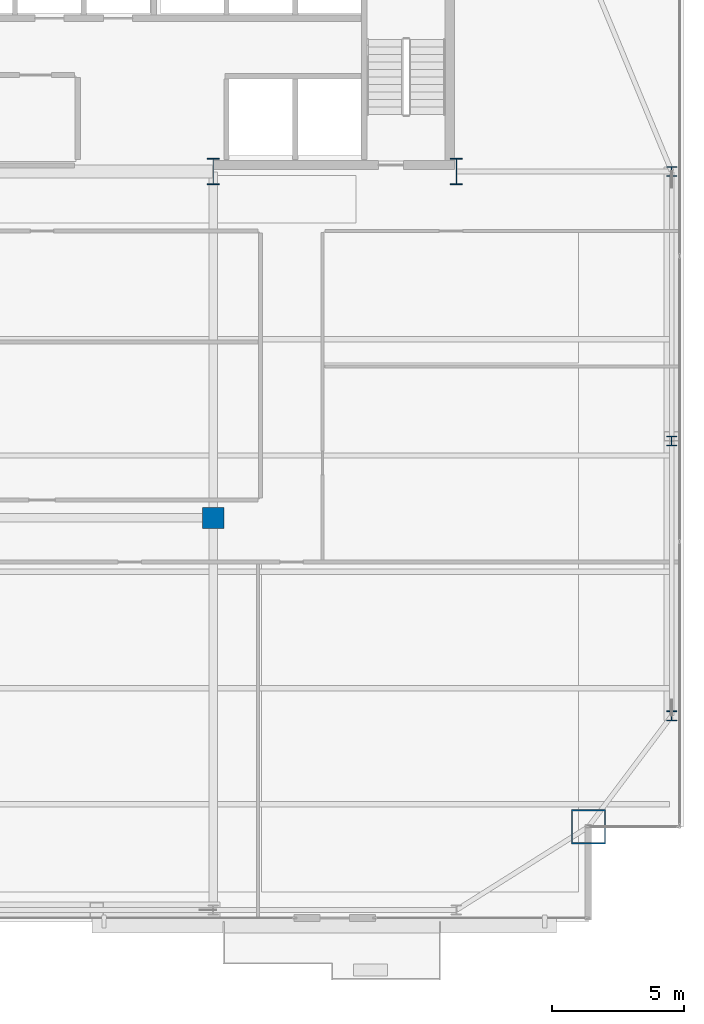
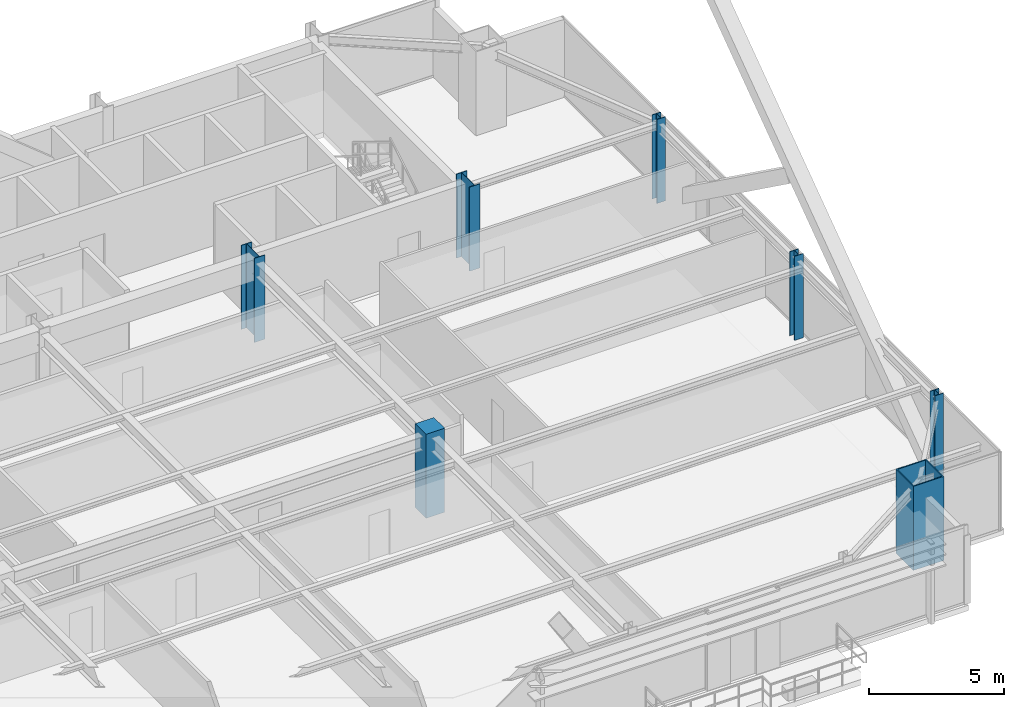
# One storey, part 2 of 34: 7 columns.
"""IFC4 building model written with IfcOpenShell, lengths in metres."""

from ifc_helpers import new_model, si_unit, direction, frame, origin, origin_2d, place, context, subcontext, project, spatial, rectangle, hollow_rectangle, i_section, extrude, source, transform, mapped, material, material_profile, profile_set, type_object, type_shapes, element, save


model = new_model("IFC4")

# Units and contexts
model_context = context("Model", 3, precision=1e-05, world=origin(), true_north=direction((0.0, 1.0)))
body_context = subcontext(model_context, "Body", "Model", "MODEL_VIEW")
ifc_project = project(units=[si_unit("LENGTHUNIT", "METRE"), si_unit("AREAUNIT", "SQUARE_METRE"), si_unit("VOLUMEUNIT", "CUBIC_METRE"), si_unit("PLANEANGLEUNIT", "RADIAN"), si_unit("MASSUNIT", "GRAM", prefix="KILO")], contexts=[model_context])

# Site, building, storey
site_placement = place(None, origin())
site = spatial("IfcSite", under=ifc_project, at=site_placement, CompositionType="ELEMENT")
building_placement = place(site_placement, origin())
building = spatial("IfcBuilding", under=site, at=building_placement, Name="Varnel Quay Broadcast Tower", CompositionType="ELEMENT")
storey_placement = place(building_placement, frame((0.0, 0.0, 176.199951171875)))
storey = spatial("IfcBuildingStorey", under=building, at=storey_placement, Name="L43", CompositionType="ELEMENT", Elevation=176.199951171875)

# Columns
ifc_material_1 = material(Name="Structural Steel CSA G40.21 350WT", Category="steel")
ifc_material_profile_1 = material_profile(ifc_material_1, i_section(OverallWidth=0.449951171875, OverallDepth=1.0, WebThickness=0.01611328125, FlangeThickness=0.030029296875, FilletRadius=0.01611328125, at=origin_2d()), Name="WWF1000X362")
ifc_profile_set_1 = profile_set([ifc_material_profile_1], Name="Structural Steel CSA G40.21 350WT")
column_type_1 = type_object("IfcColumnType", Name="Col_WWF1000X362", PredefinedType="COLUMN", material=ifc_profile_set_1)
shared_shape_1 = source(origin(), body_context, "Body", "SweptSolid", [
    extrude(i_section(OverallWidth=0.449951171875, OverallDepth=1.0, WebThickness=0.01611328125, FlangeThickness=0.030029296875, FilletRadius=0.01611328125, at=origin_2d()), origin(), (0.0, 0.0, 1.0), 3.800048828125),
])
type_shapes(column_type_1, [shared_shape_1])
for number, where, z_axis, x_axis, name in (
    (1, (43.199951171875, 35.60009765625, 0.0), (0.0, 0.0, 1.0), (1.0, 0.0, 0.0), "L43 Column CC-S4"),
    (2, (52.39990234375, 35.60009765625, 0.0), (0.0, 0.0, 1.0), (1.0, 0.0, 0.0), "L43 Column CC-S5"),
):
    element("IfcColumn", number, at=place(storey_placement, frame(where, z_axis=z_axis, x_axis=x_axis)), inside=storey, type_object=column_type_1, Name=name, PredefinedType="COLUMN", context=body_context, shape_type="MappedRepresentation", body=[
        mapped(shared_shape_1, transform((0.0, 0.0, 0.0), x_axis=(1.0, 0.0, 0.0), y_axis=(0.0, 1.0, 0.0), z_axis=(0.0, 0.0, 1.0), scale=1.0)),
    ])
ifc_material_profile_2 = material_profile(ifc_material_1, hollow_rectangle(XDim=1.300048828125, YDim=1.300048828125, WallThickness=0.050048828125, at=origin_2d()), Name="BOX1300X1300X50")
ifc_profile_set_2 = profile_set([ifc_material_profile_2], Name="Structural Steel CSA G40.21 350WT")
column_type_2 = type_object("IfcColumnType", Name="Col_BOX1300X1300X50", PredefinedType="COLUMN", material=ifc_profile_set_2)
shared_shape_2 = source(origin(), body_context, "Body", "SweptSolid", [
    extrude(hollow_rectangle(XDim=1.300048828125, YDim=1.300048828125, WallThickness=0.050048828125, at=origin_2d()), origin(), (0.0, 0.0, 1.0), 3.800048828125),
])
type_shapes(column_type_2, [shared_shape_2])
column_1_placement = place(storey_placement, frame((57.39990234375, 10.800048828125, 0.0), z_axis=(0.0, 0.0, 1.0), x_axis=(1.0, 0.0, 0.0)))
element("IfcColumn", 3, at=column_1_placement, inside=storey, type_object=column_type_2, Name="L43 Column MC-SE", PredefinedType="COLUMN", context=body_context, shape_type="MappedRepresentation", body=[
    mapped(shared_shape_2, transform((0.0, 0.0, 0.0), x_axis=(1.0, 0.0, 0.0), y_axis=(0.0, 1.0, 0.0), z_axis=(0.0, 0.0, 1.0), scale=1.0)),
])
ifc_material_2 = material(Name="Structural Steel CSA G40.21 350W", Category="steel")
ifc_material_profile_3 = material_profile(ifc_material_2, i_section(OverallWidth=0.3740234375, OverallDepth=0.3720703125, WebThickness=0.016357421875, FlangeThickness=0.026123046875, FilletRadius=0.01611328125, at=origin_2d()), Name="W360X196")
ifc_profile_set_3 = profile_set([ifc_material_profile_3], Name="Structural Steel CSA G40.21 350W")
column_type_3 = type_object("IfcColumnType", Name="Col_W360X196", PredefinedType="COLUMN", material=ifc_profile_set_3)
shared_shape_3 = source(origin(), body_context, "Body", "SweptSolid", [
    extrude(i_section(OverallWidth=0.3740234375, OverallDepth=0.3720703125, WebThickness=0.016357421875, FlangeThickness=0.026123046875, FilletRadius=0.01611328125, at=origin_2d()), origin(), (0.0, 0.0, 1.0), 3.800048828125),
])
type_shapes(column_type_3, [shared_shape_3])
for number, where, z_axis, x_axis, name in (
    (4, (60.550048828125, 15.0, 0.0), (0.0, 0.0, 1.0), (1.0, 0.0, 0.0), "L43 Column TC-E1"),
    (5, (60.550048828125, 25.39990234375, 0.0), (0.0, 0.0, 1.0), (1.0, 0.0, 0.0), "L43 Column TC-E2"),
    (6, (60.550048828125, 35.60009765625, 0.0), (0.0, 0.0, 1.0), (1.0, 0.0, 0.0), "L43 Column TC-E3"),
):
    element("IfcColumn", number, at=place(storey_placement, frame(where, z_axis=z_axis, x_axis=x_axis)), inside=storey, type_object=column_type_3, Name=name, PredefinedType="COLUMN", context=body_context, shape_type="MappedRepresentation", body=[
        mapped(shared_shape_3, transform((0.0, 0.0, 0.0), x_axis=(1.0, 0.0, 0.0), y_axis=(0.0, 1.0, 0.0), z_axis=(0.0, 0.0, 1.0), scale=1.0)),
    ])
ifc_material_3 = material(Name="Concrete CSA A23.3 C50/60", Category="concrete")
ifc_material_profile_4 = material_profile(ifc_material_3, rectangle(XDim=0.800048828125, YDim=0.800048828125, at=origin_2d()), Name="RC800X800")
ifc_profile_set_4 = profile_set([ifc_material_profile_4], Name="Concrete CSA A23.3 C50/60")
column_type_4 = type_object("IfcColumnType", Name="Col_RC800X800", PredefinedType="COLUMN", material=ifc_profile_set_4)
shared_shape_4 = source(origin(), body_context, "Body", "SweptSolid", [
    extrude(rectangle(XDim=0.800048828125, YDim=0.800048828125, at=origin_2d()), origin(), (0.0, 0.0, 1.0), 3.800048828125),
])
type_shapes(column_type_4, [shared_shape_4])
column_2_placement = place(storey_placement, frame((43.199951171875, 22.489990234375, 0.0), z_axis=(0.0, 0.0, 1.0), x_axis=(1.0, 0.0, 0.0)))
element("IfcColumn", 7, at=column_2_placement, inside=storey, type_object=column_type_4, Name="L43 Column IC-02", PredefinedType="COLUMN", context=body_context, shape_type="MappedRepresentation", body=[
    mapped(shared_shape_4, transform((0.0, 0.0, 0.0), x_axis=(1.0, 0.0, 0.0), y_axis=(0.0, 1.0, 0.0), z_axis=(0.0, 0.0, 1.0), scale=1.0)),
])

save(model, "model.ifc")
